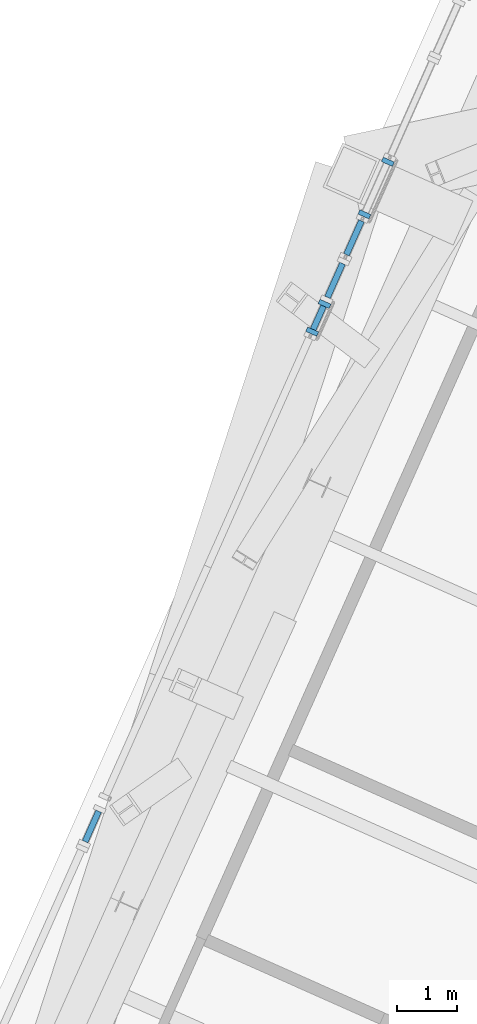
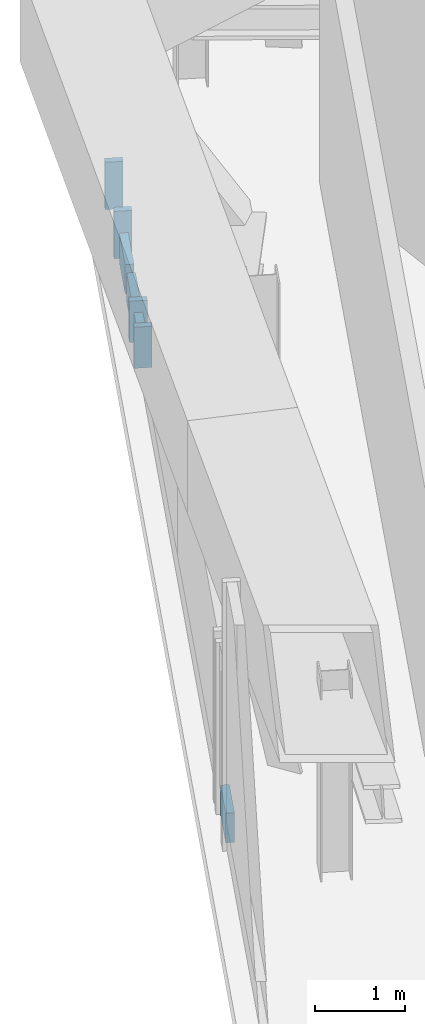
# One storey, part 10 of 23: 8 members, 5 elements without a shape of their own.
"""IFC4 building model written with IfcOpenShell, lengths in metres."""

from ifc_helpers import new_model, si_unit, direction, frame, origin, origin_2d, place, context, subcontext, project, spatial, rectangle, extrude, source, transform, mapped, material, material_profile, profile_set, type_object, element, aggregate, save


model = new_model("IFC4")

# Units and contexts
model_context = context("Model", 3, precision=1e-05, world=origin(), true_north=direction((0.0, 1.0)))
body_context = subcontext(model_context, "Body", "Model", "MODEL_VIEW")
ifc_project = project(units=[si_unit("LENGTHUNIT", "METRE"), si_unit("AREAUNIT", "SQUARE_METRE"), si_unit("VOLUMEUNIT", "CUBIC_METRE"), si_unit("PLANEANGLEUNIT", "RADIAN"), si_unit("MASSUNIT", "GRAM", prefix="KILO")], contexts=[model_context])

# Site, building, storey
site_placement = place(None, origin())
site = spatial("IfcSite", under=ifc_project, at=site_placement, CompositionType="ELEMENT")
building_placement = place(site_placement, origin())
building = spatial("IfcBuilding", under=site, at=building_placement, Name="Triune Harvest Tower", CompositionType="ELEMENT")
storey_placement = place(building_placement, frame((0.0, 0.0, 255.699951171875)))
storey = spatial("IfcBuildingStorey", under=building, at=storey_placement, Name="L67", CompositionType="ELEMENT", Elevation=255.699951171875)

# Curtain wall, member
ifc_material_1 = material(Name="Aluminium bronze anodised", Category="aluminium")
curtain_wall_type = type_object("IfcCurtainWallType", Name="CW-5 Plant louvre wall", PredefinedType="NOTDEFINED", material=ifc_material_1)
curtain_wall_1_placement = place(storey_placement, origin())
curtain_wall_1 = element("IfcCurtainWall", 1, at=curtain_wall_1_placement, inside=storey, type_object=curtain_wall_type, Name="CW-5 B6-F3 L67 run 701")
ifc_material_2 = material(Name="Aluminium bronze anodised", Category="aluminium")
ifc_material_profile_1 = material_profile(ifc_material_2, rectangle(XDim=0.10009765625, YDim=0.39990234375, at=origin_2d()), Name="TR-5 transom 100 x 400")
ifc_profile_set_1 = profile_set([ifc_material_profile_1], Name="Aluminium bronze anodised")
member_type_1 = type_object("IfcMemberType", Name="TR-5 transom 100 x 400", PredefinedType="USERDEFINED", material=ifc_profile_set_1)
member_1_placement = place(storey_placement, frame((-14.65087890625, 16.27392578125, 0.199951171875), z_axis=(-0.40691889663, -0.913464291347, 0.0), x_axis=(0.913464291347, -0.40691889663, 0.0)))
member_1 = element("IfcMember", 2, at=member_1_placement, type_object=member_type_1, Name="CW-5 transom B6-F3 701.1", ObjectType="TRANSOM", PredefinedType="USERDEFINED", context=body_context, shape_type="SweptSolid", body=[
    extrude(rectangle(XDim=0.10009765625, YDim=0.39990234375, at=origin_2d()), origin(), (0.0, 0.0, 1.0), 0.55126953125),
])
aggregate(curtain_wall_1, [member_1])

# Curtain wall, members
curtain_wall_2_placement = place(storey_placement, origin())
curtain_wall_2 = element("IfcCurtainWall", 3, at=curtain_wall_2_placement, inside=storey, type_object=curtain_wall_type, Name="CW-5 B6-F3 L67 run 201")
ifc_material_3 = material(Name="Aluminium bronze anodised", Category="aluminium")
ifc_material_profile_2 = material_profile(ifc_material_3, rectangle(XDim=0.199951171875, YDim=0.080078125, at=origin_2d()), Name="MU-5 mullion 80 x 200")
ifc_profile_set_2 = profile_set([ifc_material_profile_2], Name="Aluminium bronze anodised")
member_type_2 = type_object("IfcMemberType", Name="MU-5 mullion 80 x 200", PredefinedType="MULLION", material=ifc_profile_set_2)
shared_shape_1 = source(origin(), body_context, "Body", "SweptSolid", [
    extrude(rectangle(XDim=0.199951171875, YDim=0.080078125, at=origin_2d()), origin(), (0.0, 0.0, 1.0), 0.640625),
])
member_2_placement = place(storey_placement, frame((-9.850341796875, 27.05615234375, 0.0), z_axis=(0.0, 0.0, 1.0), x_axis=(0.913532433012, -0.406765895615, 0.0)))
member_2 = element("IfcMember", 4, at=member_2_placement, type_object=member_type_2, Name="CW-5 mullion B6-F3 201.1", PredefinedType="MULLION", context=body_context, shape_type="MappedRepresentation", body=[
    mapped(shared_shape_1, transform((0.0, 0.0, 0.0), scale=1.0)),
])
member_3_placement = place(storey_placement, frame((-10.23876953125, 26.183837890625, 0.0), z_axis=(0.0, 0.0, 1.0), x_axis=(0.913532433012, -0.406765895615, 0.0)))
member_3 = element("IfcMember", 5, at=member_3_placement, type_object=member_type_2, Name="CW-5 mullion B6-F3 201.2", PredefinedType="MULLION", context=body_context, shape_type="MappedRepresentation", body=[
    mapped(shared_shape_1, transform((0.0, 0.0, 0.0), scale=1.0)),
])
aggregate(curtain_wall_2, [member_2, member_3])

# Curtain wall, member
curtain_wall_3_placement = place(storey_placement, origin())
curtain_wall_3 = element("IfcCurtainWall", 6, at=curtain_wall_3_placement, inside=storey, type_object=curtain_wall_type, Name="CW-5 B6-F3 L67 run 501")
shared_shape_2 = source(origin(), body_context, "Body", "SweptSolid", [
    extrude(rectangle(XDim=0.10009765625, YDim=0.39990234375, at=origin_2d()), origin(), (0.0, 0.0, 1.0), 0.42431640625),
])
member_4_placement = place(storey_placement, frame((-10.917236328125, 24.66015625, 0.199951171875), z_axis=(-0.406725527369, -0.913550406593, 0.0), x_axis=(0.913550406593, -0.406725527369, 0.0)))
member_4 = element("IfcMember", 7, at=member_4_placement, type_object=member_type_1, Name="CW-5 transom B6-F3 501.1", ObjectType="TRANSOM", PredefinedType="USERDEFINED", context=body_context, shape_type="MappedRepresentation", body=[
    mapped(shared_shape_2, transform((0.0, 0.0, 0.0), scale=1.0)),
])

curtain_wall_4_placement = place(storey_placement, origin())
curtain_wall_4 = element("IfcCurtainWall", 8, at=curtain_wall_4_placement, inside=storey, type_object=curtain_wall_type, Name="CW-5 B6-F3 L67 run 301")
shared_shape_3 = source(origin(), body_context, "Body", "SweptSolid", [
    extrude(rectangle(XDim=0.10009765625, YDim=0.39990234375, at=origin_2d()), origin(), (0.0, 0.0, 1.0), 0.614013671875),
])
member_5_placement = place(storey_placement, frame((-10.28759765625, 26.07421875, 0.199951171875), z_axis=(-0.406691680166, -0.913565475094, 0.0), x_axis=(0.913565475094, -0.406691680166, 0.0)))
member_5 = element("IfcMember", 9, at=member_5_placement, type_object=member_type_1, Name="CW-5 transom B6-F3 301.1", ObjectType="TRANSOM", PredefinedType="USERDEFINED", context=body_context, shape_type="MappedRepresentation", body=[
    mapped(shared_shape_3, transform((0.0, 0.0, 0.0), scale=1.0)),
])
aggregate(curtain_wall_4, [member_5])

curtain_wall_5_placement = place(storey_placement, origin())
curtain_wall_5 = element("IfcCurtainWall", 10, at=curtain_wall_5_placement, inside=storey, type_object=curtain_wall_type, Name="CW-5 B6-F3 L67 run 401")
member_6_placement = place(storey_placement, frame((-10.602294921875, 25.3671875, 0.199951171875), z_axis=(-0.406839433312, -0.913499685551, 0.0), x_axis=(0.913499685551, -0.406839433312, 0.0)))
member_6 = element("IfcMember", 11, at=member_6_placement, type_object=member_type_1, Name="CW-5 transom B6-F3 401.1", ObjectType="TRANSOM", PredefinedType="USERDEFINED", context=body_context, shape_type="MappedRepresentation", body=[
    mapped(shared_shape_3, transform((0.0, 0.0, 0.0), scale=1.0)),
])
aggregate(curtain_wall_5, [member_6])

# Member
shared_shape_4 = source(origin(), body_context, "Body", "SweptSolid", [
    extrude(rectangle(XDim=0.199951171875, YDim=0.080078125, at=origin_2d()), origin(), (0.0, 0.0, 1.0), 0.55712890625),
])
member_7_placement = place(storey_placement, frame((-10.90087890625, 24.69677734375, 0.0), z_axis=(0.0, 0.0, 1.0), x_axis=(0.913521974009, -0.406789384082, 0.0)))
member_7 = element("IfcMember", 12, at=member_7_placement, type_object=member_type_2, Name="CW-5 mullion B6-F3 501.1", PredefinedType="MULLION", context=body_context, shape_type="MappedRepresentation", body=[
    mapped(shared_shape_4, transform((0.0, 0.0, 0.0), scale=1.0)),
])

member_8_placement = place(storey_placement, frame((-11.10595703125, 24.23583984375, 0.0), z_axis=(0.0, 0.0, 1.0), x_axis=(0.913521974009, -0.406789384082, 0.0)))
member_8 = element("IfcMember", 13, at=member_8_placement, type_object=member_type_2, Name="CW-5 mullion B6-F3 501.2", PredefinedType="MULLION", context=body_context, shape_type="MappedRepresentation", body=[
    mapped(shared_shape_4, transform((0.0, 0.0, 0.0), scale=1.0)),
])

aggregate(curtain_wall_3, [member_7, member_8, member_4])

save(model, "model.ifc")
